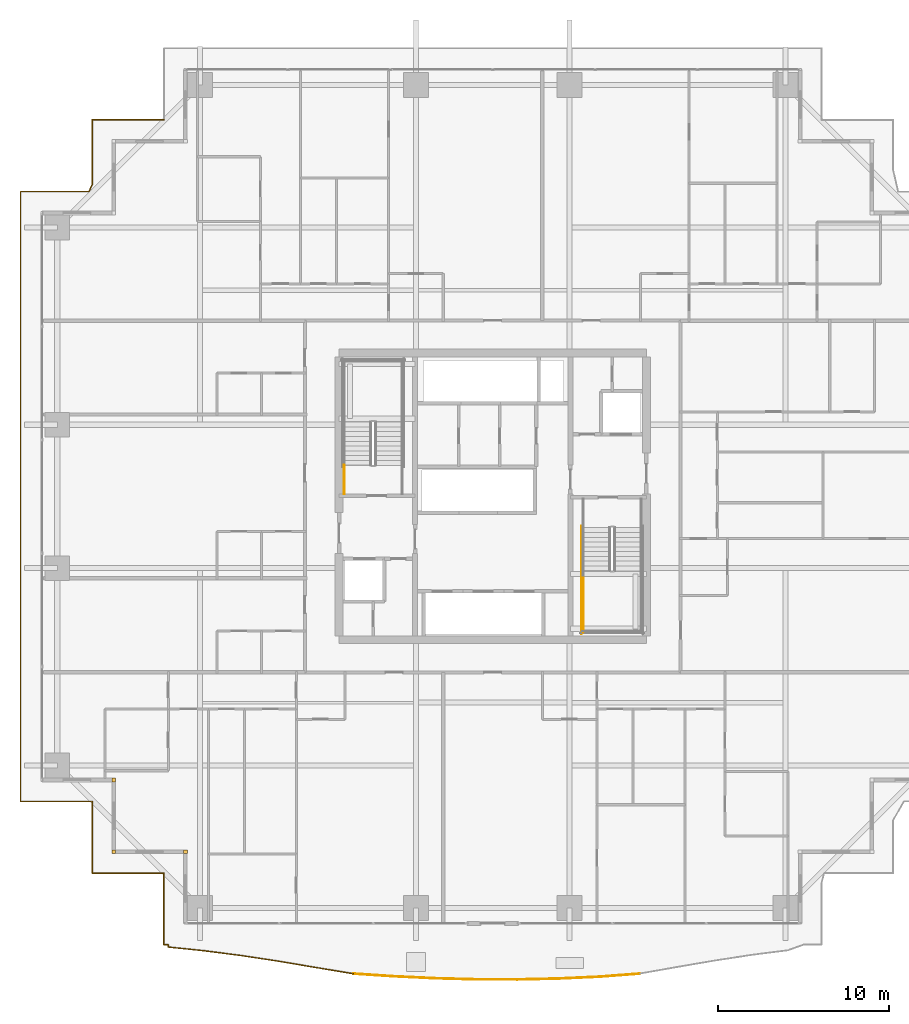
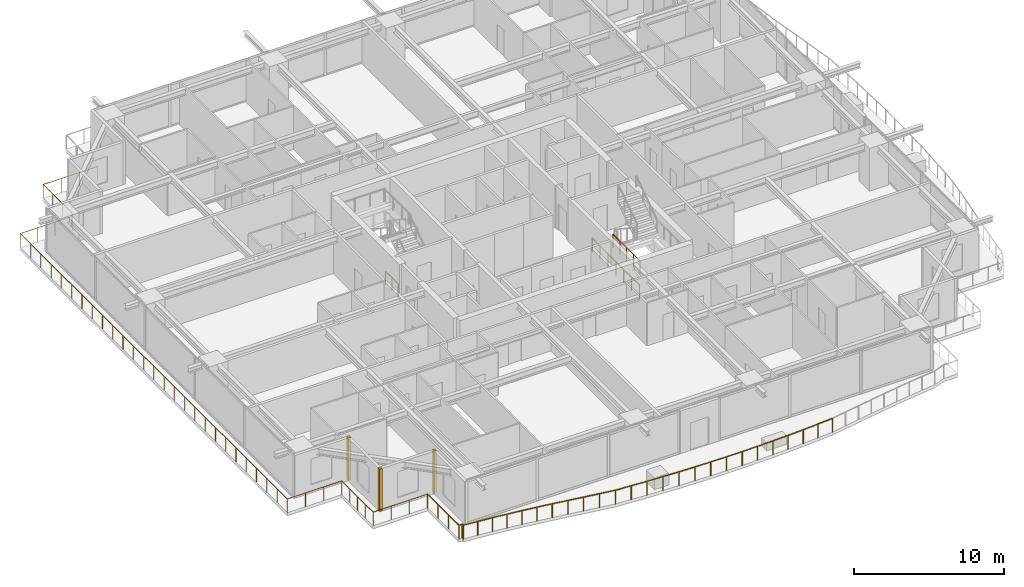
# One storey, part 34 of 39: 6 railings, 3 coverings.
"""IFC4 building model written with IfcOpenShell, lengths in metres."""

from ifc_helpers import new_model, si_unit, direction, frame, origin, origin_2d, place, context, subcontext, project, spatial, rectangle, circle, extrude, source, transform, mapped, material, layer, layer_set, type_object, element, save


model = new_model("IFC4")

# Units and contexts
model_context = context("Model", 3, precision=1e-05, world=origin(), true_north=direction((0.0, 1.0)))
body_context = subcontext(model_context, "Body", "Model", "MODEL_VIEW")
ifc_project = project(units=[si_unit("LENGTHUNIT", "METRE"), si_unit("AREAUNIT", "SQUARE_METRE"), si_unit("VOLUMEUNIT", "CUBIC_METRE"), si_unit("PLANEANGLEUNIT", "RADIAN"), si_unit("MASSUNIT", "GRAM", prefix="KILO")], contexts=[model_context])

# Site, building, storey
site_placement = place(None, origin())
site = spatial("IfcSite", under=ifc_project, at=site_placement, CompositionType="ELEMENT")
building_placement = place(site_placement, origin())
building = spatial("IfcBuilding", under=site, at=building_placement, Name="Serunith Strait Residences", CompositionType="ELEMENT")
storey_placement = place(building_placement, frame((0.0, 0.0, 79.199951171875)))
storey = spatial("IfcBuildingStorey", under=building, at=storey_placement, Name="L19", CompositionType="ELEMENT", Elevation=79.199951171875)

# Railings
ifc_material_1 = material(Name="Stainless Steel & Laminated Glass Balustrade", Category="steel")
railing_type_1 = type_object("IfcRailingType", Name="RLG-BALC-1150", PredefinedType="BALUSTRADE", material=ifc_material_1)
railing_1_placement = place(storey_placement, frame((13.139892578125, 3.139892578125, -0.050048828125)))
element("IfcRailing", 1, at=railing_1_placement, inside=storey, type_object=railing_type_1, Name="L19 Swirling Balcony Perimeter Balustrade 1", PredefinedType="BALUSTRADE", context=body_context, shape_type="SweptSolid", body=[
    extrude(circle(Radius=0.02392578125, at=origin_2d()), frame((-0.001953125, 0.0, 1.1259765625), z_axis=(-1.0, 0.0, 0.0), x_axis=(0.0, -1.0, 0.0)), (0.0, 0.0, 1.0), 4.196044921875),
    extrude(circle(Radius=0.02392578125, at=origin_2d()), frame((-4.199951171875, 0.001953125, 1.1259765625), z_axis=(0.0, 1.0, 0.0), x_axis=(-1.0, 0.0, 0.0)), (0.0, 0.0, 1.0), 4.1962890625),
    extrude(circle(Radius=0.02392578125, at=origin_2d()), frame((-4.201904296875, 4.2001953125, 1.1259765625), z_axis=(-1.0, 0.0, 0.0), x_axis=(0.0, -1.0, 0.0)), (0.0, 0.0, 1.0), 4.196044921875),
    extrude(circle(Radius=0.02392578125, at=origin_2d()), frame((-8.39990234375, 4.2021484375, 1.1259765625), z_axis=(0.0, 1.0, 0.0), x_axis=(-1.0, 0.0, 0.0)), (0.0, 0.0, 1.0), 35.716064453125),
    extrude(circle(Radius=0.02392578125, at=origin_2d()), frame((-8.39794921875, 39.920166015625, 1.1259765625), z_axis=(1.0, 0.0, 0.0), x_axis=(0.0, 1.0, 0.0)), (0.0, 0.0, 1.0), 4.014892578125),
    extrude(circle(Radius=0.02392578125, at=origin_2d()), frame((-4.38037109375, 39.921875, 1.1259765625), z_axis=(0.414518347731, 0.91004095479, 0.0), x_axis=(-0.91004095479, 0.414518347731, 0.0)), (0.0, 0.0, 1.0), 0.43310546875),
    extrude(circle(Radius=0.02392578125, at=origin_2d()), frame((-4.199951171875, 40.31982421875, 1.1259765625), z_axis=(0.0, 1.0, 0.0), x_axis=(-1.0, 0.0, 0.0)), (0.0, 0.0, 1.0), 3.79833984375),
    extrude(circle(Radius=0.02392578125, at=origin_2d()), frame((-4.197998046875, 44.1201171875, 1.1259765625), z_axis=(1.0, 0.0, 0.0), x_axis=(0.0, 1.0, 0.0)), (0.0, 0.0, 1.0), 4.196044921875),
    extrude(circle(Radius=0.02099609375, at=origin_2d()), origin(), (0.0, 0.0, 1.0), 1.099853515625),
    extrude(circle(Radius=0.02099609375, at=origin_2d()), frame((-1.39990234375, 0.0, 0.0)), (0.0, 0.0, 1.0), 1.099853515625),
    extrude(circle(Radius=0.02099609375, at=origin_2d()), frame((-2.800048828125, 0.0, 0.0)), (0.0, 0.0, 1.0), 1.099853515625),
    extrude(circle(Radius=0.02099609375, at=origin_2d()), frame((-4.199951171875, 0.0, 0.0)), (0.0, 0.0, 1.0), 1.099853515625),
    extrude(circle(Radius=0.02099609375, at=origin_2d()), frame((-4.199951171875, 1.050048828125, 0.0)), (0.0, 0.0, 1.0), 1.099853515625),
    extrude(circle(Radius=0.02099609375, at=origin_2d()), frame((-4.199951171875, 2.10009765625, 0.0)), (0.0, 0.0, 1.0), 1.099853515625),
    extrude(circle(Radius=0.02099609375, at=origin_2d()), frame((-4.199951171875, 3.150146484375, 0.0)), (0.0, 0.0, 1.0), 1.099853515625),
    extrude(circle(Radius=0.02099609375, at=origin_2d()), frame((-4.199951171875, 4.2001953125, 0.0)), (0.0, 0.0, 1.0), 1.099853515625),
    extrude(circle(Radius=0.02099609375, at=origin_2d()), frame((-5.599853515625, 4.2001953125, 0.0)), (0.0, 0.0, 1.0), 1.099853515625),
    extrude(circle(Radius=0.02099609375, at=origin_2d()), frame((-7.0, 4.2001953125, 0.0)), (0.0, 0.0, 1.0), 1.099853515625),
    extrude(circle(Radius=0.02099609375, at=origin_2d()), frame((-8.39990234375, 4.2001953125, 0.0)), (0.0, 0.0, 1.0), 1.099853515625),
    extrude(circle(Radius=0.02099609375, at=origin_2d()), frame((-8.39990234375, 5.573974609375, 0.0)), (0.0, 0.0, 1.0), 1.099853515625),
    extrude(circle(Radius=0.02099609375, at=origin_2d()), frame((-8.39990234375, 6.947998046875, 0.0)), (0.0, 0.0, 1.0), 1.099853515625),
    extrude(circle(Radius=0.02099609375, at=origin_2d()), frame((-8.39990234375, 8.32177734375, 0.0)), (0.0, 0.0, 1.0), 1.099853515625),
    extrude(circle(Radius=0.02099609375, at=origin_2d()), frame((-8.39990234375, 9.695556640625, 0.0)), (0.0, 0.0, 1.0), 1.099853515625),
    extrude(circle(Radius=0.02099609375, at=origin_2d()), frame((-8.39990234375, 11.0693359375, 0.0)), (0.0, 0.0, 1.0), 1.099853515625),
    extrude(circle(Radius=0.02099609375, at=origin_2d()), frame((-8.39990234375, 12.443359375, 0.0)), (0.0, 0.0, 1.0), 1.099853515625),
    extrude(circle(Radius=0.02099609375, at=origin_2d()), frame((-8.39990234375, 13.817138671875, 0.0)), (0.0, 0.0, 1.0), 1.099853515625),
    extrude(circle(Radius=0.02099609375, at=origin_2d()), frame((-8.39990234375, 15.19091796875, 0.0)), (0.0, 0.0, 1.0), 1.099853515625),
    extrude(circle(Radius=0.02099609375, at=origin_2d()), frame((-8.39990234375, 16.564697265625, 0.0)), (0.0, 0.0, 1.0), 1.099853515625),
    extrude(circle(Radius=0.02099609375, at=origin_2d()), frame((-8.39990234375, 17.938720703125, 0.0)), (0.0, 0.0, 1.0), 1.099853515625),
    extrude(circle(Radius=0.02099609375, at=origin_2d()), frame((-8.39990234375, 19.3125, 0.0)), (0.0, 0.0, 1.0), 1.099853515625),
    extrude(circle(Radius=0.02099609375, at=origin_2d()), frame((-8.39990234375, 20.686279296875, 0.0)), (0.0, 0.0, 1.0), 1.099853515625),
    extrude(circle(Radius=0.02099609375, at=origin_2d()), frame((-8.39990234375, 22.06005859375, 0.0)), (0.0, 0.0, 1.0), 1.099853515625),
    extrude(circle(Radius=0.02099609375, at=origin_2d()), frame((-8.39990234375, 23.43408203125, 0.0)), (0.0, 0.0, 1.0), 1.099853515625),
    extrude(circle(Radius=0.02099609375, at=origin_2d()), frame((-8.39990234375, 24.807861328125, 0.0)), (0.0, 0.0, 1.0), 1.099853515625),
    extrude(circle(Radius=0.02099609375, at=origin_2d()), frame((-8.39990234375, 26.181640625, 0.0)), (0.0, 0.0, 1.0), 1.099853515625),
    extrude(circle(Radius=0.02099609375, at=origin_2d()), frame((-8.39990234375, 27.5556640625, 0.0)), (0.0, 0.0, 1.0), 1.099853515625),
    extrude(circle(Radius=0.02099609375, at=origin_2d()), frame((-8.39990234375, 28.929443359375, 0.0)), (0.0, 0.0, 1.0), 1.099853515625),
    extrude(circle(Radius=0.02099609375, at=origin_2d()), frame((-8.39990234375, 30.30322265625, 0.0)), (0.0, 0.0, 1.0), 1.099853515625),
    extrude(circle(Radius=0.02099609375, at=origin_2d()), frame((-8.39990234375, 31.677001953125, 0.0)), (0.0, 0.0, 1.0), 1.099853515625),
    extrude(circle(Radius=0.02099609375, at=origin_2d()), frame((-8.39990234375, 33.051025390625, 0.0)), (0.0, 0.0, 1.0), 1.099853515625),
    extrude(circle(Radius=0.02099609375, at=origin_2d()), frame((-8.39990234375, 34.4248046875, 0.0)), (0.0, 0.0, 1.0), 1.099853515625),
    extrude(circle(Radius=0.02099609375, at=origin_2d()), frame((-8.39990234375, 35.798583984375, 0.0)), (0.0, 0.0, 1.0), 1.099853515625),
    extrude(circle(Radius=0.02099609375, at=origin_2d()), frame((-8.39990234375, 37.17236328125, 0.0)), (0.0, 0.0, 1.0), 1.099853515625),
    extrude(circle(Radius=0.02099609375, at=origin_2d()), frame((-8.39990234375, 38.54638671875, 0.0)), (0.0, 0.0, 1.0), 1.099853515625),
    extrude(circle(Radius=0.02099609375, at=origin_2d()), frame((-8.39990234375, 39.920166015625, 0.0)), (0.0, 0.0, 1.0), 1.099853515625),
    extrude(circle(Radius=0.02099609375, at=origin_2d()), frame((-7.060302734375, 39.920166015625, 0.0)), (0.0, 0.0, 1.0), 1.099853515625),
    extrude(circle(Radius=0.02099609375, at=origin_2d()), frame((-5.720703125, 39.920166015625, 0.0)), (0.0, 0.0, 1.0), 1.099853515625),
    extrude(circle(Radius=0.02099609375, at=origin_2d()), frame((-4.381103515625, 39.920166015625, 0.0)), (0.0, 0.0, 1.0), 1.099853515625),
    extrude(circle(Radius=0.02099609375, at=origin_2d()), frame((-4.199951171875, 40.31787109375, 0.0)), (0.0, 0.0, 1.0), 1.099853515625),
    extrude(circle(Radius=0.02099609375, at=origin_2d()), frame((-4.199951171875, 41.585205078125, 0.0)), (0.0, 0.0, 1.0), 1.099853515625),
    extrude(circle(Radius=0.02099609375, at=origin_2d()), frame((-4.199951171875, 42.852783203125, 0.0)), (0.0, 0.0, 1.0), 1.099853515625),
    extrude(circle(Radius=0.02099609375, at=origin_2d()), frame((-4.199951171875, 44.1201171875, 0.0)), (0.0, 0.0, 1.0), 1.099853515625),
    extrude(circle(Radius=0.02099609375, at=origin_2d()), frame((-2.800048828125, 44.1201171875, 0.0)), (0.0, 0.0, 1.0), 1.099853515625),
    extrude(circle(Radius=0.02099609375, at=origin_2d()), frame((-1.39990234375, 44.1201171875, 0.0)), (0.0, 0.0, 1.0), 1.099853515625),
    extrude(circle(Radius=0.02099609375, at=origin_2d()), frame((0.0, 44.1201171875, 0.0)), (0.0, 0.0, 1.0), 1.099853515625),
])
railing_2_placement = place(storey_placement, frame((41.00830078125, -2.749267578125, -0.050048828125)))
element("IfcRailing", 2, at=railing_2_placement, inside=storey, type_object=railing_type_1, Name="L19 Swirling Balcony Perimeter Balustrade 7", PredefinedType="BALUSTRADE", context=body_context, shape_type="SweptSolid", body=[
    extrude(circle(Radius=0.02392578125, at=origin_2d()), frame((-0.001953125, -0.000244140625, 1.1259765625), z_axis=(-0.99709992741, -0.076103447742, 0.0), x_axis=(0.076103447742, -0.99709992741, 0.0)), (0.0, 0.0, 1.0), 2.357177734375),
    extrude(circle(Radius=0.02392578125, at=origin_2d()), frame((-2.356201171875, -0.1796875, 1.1259765625), z_axis=(-0.998958647485, -0.045624780719, 0.0), x_axis=(0.045624780719, -0.998958647485, 0.0)), (0.0, 0.0, 1.0), 2.393310546875),
    extrude(circle(Radius=0.02392578125, at=origin_2d()), frame((-4.7509765625, -0.2890625, 1.1259765625), z_axis=(-0.99975302823, -0.022223468345, 0.0), x_axis=(0.022223468345, -0.99975302823, 0.0)), (0.0, 0.0, 1.0), 2.412841796875),
    extrude(circle(Radius=0.02392578125, at=origin_2d()), frame((-7.167236328125, -0.3427734375, 1.1259765625), z_axis=(-0.999996570124, 0.00261911059, 0.0), x_axis=(-0.00261911059, -0.999996570124, 0.0)), (0.0, 0.0, 1.0), 2.419677734375),
    extrude(circle(Radius=0.02392578125, at=origin_2d()), frame((-9.5908203125, -0.33642578125, 1.1259765625), z_axis=(-0.999644203053, 0.026673344411, 0.0), x_axis=(-0.026673344411, -0.999644203053, 0.0)), (0.0, 0.0, 1.0), 2.412353515625),
    extrude(circle(Radius=0.02392578125, at=origin_2d()), frame((-12.00634765625, -0.27197265625, 1.1259765625), z_axis=(-0.998843342437, 0.048083024746, 0.0), x_axis=(-0.048083024746, -0.998843342437, 0.0)), (0.0, 0.0, 1.0), 2.392578125),
    extrude(circle(Radius=0.02392578125, at=origin_2d()), frame((-14.400146484375, -0.156494140625, 1.1259765625), z_axis=(-0.997853525768, 0.065485426712, 0.0), x_axis=(-0.065485426712, -0.997853525768, 0.0)), (0.0, 0.0, 1.0), 2.36328125),
    extrude(circle(Radius=0.02099609375, at=origin_2d()), origin(), (0.0, 0.0, 1.0), 1.099853515625),
    extrude(circle(Radius=0.02099609375, at=origin_2d()), frame((-1.17724609375, -0.08984375, 0.0)), (0.0, 0.0, 1.0), 1.099853515625),
    extrude(circle(Radius=0.02099609375, at=origin_2d()), frame((-2.354248046875, -0.1796875, 0.0)), (0.0, 0.0, 1.0), 1.099853515625),
    extrude(circle(Radius=0.02099609375, at=origin_2d()), frame((-3.5517578125, -0.234375, 0.0)), (0.0, 0.0, 1.0), 1.099853515625),
    extrude(circle(Radius=0.02099609375, at=origin_2d()), frame((-4.7490234375, -0.2890625, 0.0)), (0.0, 0.0, 1.0), 1.099853515625),
    extrude(circle(Radius=0.02099609375, at=origin_2d()), frame((-5.95703125, -0.31591796875, 0.0)), (0.0, 0.0, 1.0), 1.099853515625),
    extrude(circle(Radius=0.02099609375, at=origin_2d()), frame((-7.165283203125, -0.3427734375, 0.0)), (0.0, 0.0, 1.0), 1.099853515625),
    extrude(circle(Radius=0.02099609375, at=origin_2d()), frame((-8.376953125, -0.339599609375, 0.0)), (0.0, 0.0, 1.0), 1.099853515625),
    extrude(circle(Radius=0.02099609375, at=origin_2d()), frame((-9.5888671875, -0.33642578125, 0.0)), (0.0, 0.0, 1.0), 1.099853515625),
    extrude(circle(Radius=0.02099609375, at=origin_2d()), frame((-10.796630859375, -0.30419921875, 0.0)), (0.0, 0.0, 1.0), 1.099853515625),
    extrude(circle(Radius=0.02099609375, at=origin_2d()), frame((-12.00439453125, -0.27197265625, 0.0)), (0.0, 0.0, 1.0), 1.099853515625),
    extrude(circle(Radius=0.02099609375, at=origin_2d()), frame((-13.201171875, -0.21435546875, 0.0)), (0.0, 0.0, 1.0), 1.099853515625),
    extrude(circle(Radius=0.02099609375, at=origin_2d()), frame((-14.398193359375, -0.15673828125, 0.0)), (0.0, 0.0, 1.0), 1.099853515625),
    extrude(circle(Radius=0.02099609375, at=origin_2d()), frame((-15.579345703125, -0.0791015625, 0.0)), (0.0, 0.0, 1.0), 1.099853515625),
    extrude(circle(Radius=0.02099609375, at=origin_2d()), frame((-16.760498046875, -0.001708984375, 0.0)), (0.0, 0.0, 1.0), 1.099853515625),
])
railing_3_placement = place(storey_placement, frame((24.247802734375, -2.7509765625, -0.050048828125)))
element("IfcRailing", 3, at=railing_3_placement, inside=storey, type_object=railing_type_1, Name="L19 Swirling Balcony Perimeter Balustrade 8", PredefinedType="BALUSTRADE", context=body_context, shape_type="SweptSolid", body=[
    extrude(circle(Radius=0.02392578125, at=origin_2d()), frame((-0.001953125, 0.000244140625, 1.1259765625), z_axis=(-0.986704051233, 0.162527275496, 0.0), x_axis=(-0.162527275496, -0.986704051233, 0.0)), (0.0, 0.0, 1.0), 2.28076171875),
    extrude(circle(Radius=0.02392578125, at=origin_2d()), frame((-2.25634765625, 0.37158203125, 1.1259765625), z_axis=(-0.986014233955, 0.166661124558, 0.0), x_axis=(-0.166661124558, -0.986014233955, 0.0)), (0.0, 0.0, 1.0), 2.21826171875),
    extrude(circle(Radius=0.02392578125, at=origin_2d()), frame((-4.447509765625, 0.741943359375, 1.1259765625), z_axis=(-0.98861811185, 0.150446764411, 0.0), x_axis=(-0.150446764411, -0.98861811185, 0.0)), (0.0, 0.0, 1.0), 2.172119140625),
    extrude(circle(Radius=0.02392578125, at=origin_2d()), frame((-6.598876953125, 1.0693359375, 1.1259765625), z_axis=(-0.991841527508, 0.127476995223, 0.0), x_axis=(-0.127476995223, -0.991841527508, 0.0)), (0.0, 0.0, 1.0), 2.142822265625),
    extrude(circle(Radius=0.02392578125, at=origin_2d()), frame((-8.728271484375, 1.343017578125, 1.1259765625), z_axis=(-0.994690177559, 0.102914773809, 0.0), x_axis=(-0.102914773809, -0.994690177559, 0.0)), (0.0, 0.0, 1.0), 2.128662109375),
    extrude(circle(Radius=0.02392578125, at=origin_2d()), frame((-10.84765625, 1.564208984375, 1.1259765625), z_axis=(0.007589914203, 0.999971196186, 0.0), x_axis=(-0.999971196186, 0.007589914203, 0.0)), (0.0, 0.0, 1.0), 0.124755859375),
    extrude(circle(Radius=0.02392578125, at=origin_2d()), frame((-10.8486328125, 1.69091796875, 1.1259765625), z_axis=(-1.0, 0.0, 0.0), x_axis=(0.0, -1.0, 0.0)), (0.0, 0.0, 1.0), 0.25732421875),
    extrude(circle(Radius=0.02392578125, at=origin_2d()), frame((-11.10791015625, 1.69287109375, 1.1259765625), z_axis=(0.0, 1.0, 0.0), x_axis=(-1.0, 0.0, 0.0)), (0.0, 0.0, 1.0), 4.196044921875),
    extrude(circle(Radius=0.02099609375, at=origin_2d()), origin(), (0.0, 0.0, 1.0), 1.099853515625),
    extrude(circle(Radius=0.02099609375, at=origin_2d()), frame((-1.127197265625, 0.185546875, 0.0)), (0.0, 0.0, 1.0), 1.099853515625),
    extrude(circle(Radius=0.02099609375, at=origin_2d()), frame((-2.25439453125, 0.371337890625, 0.0)), (0.0, 0.0, 1.0), 1.099853515625),
    extrude(circle(Radius=0.02099609375, at=origin_2d()), frame((-3.35009765625, 0.556640625, 0.0)), (0.0, 0.0, 1.0), 1.099853515625),
    extrude(circle(Radius=0.02099609375, at=origin_2d()), frame((-4.445556640625, 0.74169921875, 0.0)), (0.0, 0.0, 1.0), 1.099853515625),
    extrude(circle(Radius=0.02099609375, at=origin_2d()), frame((-5.521240234375, 0.9052734375, 0.0)), (0.0, 0.0, 1.0), 1.099853515625),
    extrude(circle(Radius=0.02099609375, at=origin_2d()), frame((-6.596923828125, 1.069091796875, 0.0)), (0.0, 0.0, 1.0), 1.099853515625),
    extrude(circle(Radius=0.02099609375, at=origin_2d()), frame((-7.66162109375, 1.2060546875, 0.0)), (0.0, 0.0, 1.0), 1.099853515625),
    extrude(circle(Radius=0.02099609375, at=origin_2d()), frame((-8.726318359375, 1.3427734375, 0.0)), (0.0, 0.0, 1.0), 1.099853515625),
    extrude(circle(Radius=0.02099609375, at=origin_2d()), frame((-9.787109375, 1.45263671875, 0.0)), (0.0, 0.0, 1.0), 1.099853515625),
    extrude(circle(Radius=0.02099609375, at=origin_2d()), frame((-10.84765625, 1.562255859375, 0.0)), (0.0, 0.0, 1.0), 1.099853515625),
    extrude(circle(Radius=0.02099609375, at=origin_2d()), frame((-10.8466796875, 1.69091796875, 0.0)), (0.0, 0.0, 1.0), 1.099853515625),
    extrude(circle(Radius=0.02099609375, at=origin_2d()), frame((-11.10791015625, 1.69091796875, 0.0)), (0.0, 0.0, 1.0), 1.099853515625),
    extrude(circle(Radius=0.02099609375, at=origin_2d()), frame((-11.10791015625, 3.0908203125, 0.0)), (0.0, 0.0, 1.0), 1.099853515625),
    extrude(circle(Radius=0.02099609375, at=origin_2d()), frame((-11.10791015625, 4.490966796875, 0.0)), (0.0, 0.0, 1.0), 1.099853515625),
    extrude(circle(Radius=0.02099609375, at=origin_2d()), frame((-11.10791015625, 5.890869140625, 0.0)), (0.0, 0.0, 1.0), 1.099853515625),
])
ifc_material_2 = material(Name="Brushed stainless steel 316L", Category="steel")
railing_type_2 = type_object("IfcRailingType", Name="RLG-STAIR-GUARD", PredefinedType="BALUSTRADE", material=ifc_material_2)
railing_4_placement = place(storey_placement, frame((23.699951171875, 25.35009765625, 0.0)))
element("IfcRailing", 4, at=railing_4_placement, inside=storey, type_object=railing_type_2, Name="L19 ST-1 stair guard 9", PredefinedType="BALUSTRADE", context=body_context, shape_type="SweptSolid", body=[
    extrude(circle(Radius=0.02392578125, at=origin_2d()), frame((0.0, 0.001953125, 1.076171875), z_axis=(0.0, 1.0, 0.0), x_axis=(-1.0, 0.0, 0.0)), (0.0, 0.0, 1.0), 1.676025390625),
    extrude(circle(Radius=0.02099609375, at=origin_2d()), origin(), (0.0, 0.0, 1.0), 1.050048828125),
    extrude(circle(Radius=0.02099609375, at=origin_2d()), frame((0.0, 0.83984375, 0.0)), (0.0, 0.0, 1.0), 1.050048828125),
    extrude(circle(Radius=0.02099609375, at=origin_2d()), frame((0.0, 1.679931640625, 0.0)), (0.0, 0.0, 1.0), 1.050048828125),
])
railing_5_placement = place(storey_placement, frame((37.699951171875, 20.85009765625, 1.875)))
element("IfcRailing", 5, at=railing_5_placement, inside=storey, type_object=railing_type_2, Name="L19 ST-2 stair guard 3", PredefinedType="BALUSTRADE", context=body_context, shape_type="SweptSolid", body=[
    extrude(circle(Radius=0.02392578125, at=origin_2d()), frame((0.0, -0.001953125, 1.076171875), z_axis=(0.0, -1.0, 0.0), x_axis=(1.0, 0.0, 0.0)), (0.0, 0.0, 1.0), 3.59619140625),
    extrude(circle(Radius=0.02099609375, at=origin_2d()), origin(), (0.0, 0.0, 1.0), 1.050048828125),
    extrude(circle(Radius=0.02099609375, at=origin_2d()), frame((0.0, -0.89990234375, 0.0)), (0.0, 0.0, 1.0), 1.050048828125),
    extrude(circle(Radius=0.02099609375, at=origin_2d()), frame((0.0, -1.800048828125, 0.0)), (0.0, 0.0, 1.0), 1.050048828125),
    extrude(circle(Radius=0.02099609375, at=origin_2d()), frame((0.0, -2.7001953125, 0.0)), (0.0, 0.0, 1.0), 1.050048828125),
    extrude(circle(Radius=0.02099609375, at=origin_2d()), frame((0.0, -3.60009765625, 0.0)), (0.0, 0.0, 1.0), 1.050048828125),
])
railing_6_placement = place(storey_placement, frame((37.60009765625, 23.469970703125, 0.0)))
element("IfcRailing", 6, at=railing_6_placement, inside=storey, type_object=railing_type_2, Name="L19 ST-2 stair guard 10", PredefinedType="BALUSTRADE", context=body_context, shape_type="SweptSolid", body=[
    extrude(circle(Radius=0.02392578125, at=origin_2d()), frame((0.0, -0.001953125, 1.076171875), z_axis=(0.0, -1.0, 0.0), x_axis=(1.0, 0.0, 0.0)), (0.0, 0.0, 1.0), 6.316162109375),
    extrude(circle(Radius=0.02099609375, at=origin_2d()), origin(), (0.0, 0.0, 1.0), 1.050048828125),
    extrude(circle(Radius=0.02099609375, at=origin_2d()), frame((0.0, -1.05322265625, 0.0)), (0.0, 0.0, 1.0), 1.050048828125),
    extrude(circle(Radius=0.02099609375, at=origin_2d()), frame((0.0, -2.106689453125, 0.0)), (0.0, 0.0, 1.0), 1.050048828125),
    extrude(circle(Radius=0.02099609375, at=origin_2d()), frame((0.0, -3.16015625, 0.0)), (0.0, 0.0, 1.0), 1.050048828125),
    extrude(circle(Radius=0.02099609375, at=origin_2d()), frame((0.0, -4.21337890625, 0.0)), (0.0, 0.0, 1.0), 1.050048828125),
    extrude(circle(Radius=0.02099609375, at=origin_2d()), frame((0.0, -5.2666015625, 0.0)), (0.0, 0.0, 1.0), 1.050048828125),
    extrude(circle(Radius=0.02099609375, at=origin_2d()), frame((0.0, -6.320068359375, 0.0)), (0.0, 0.0, 1.0), 1.050048828125),
])

# Coverings
ifc_material_3 = material(Name="Pale-Champagne Anodised Aluminium", Category="aluminium")
ifc_layer = layer(ifc_material_3, 0.219970703125, Name="Pale-Champagne Anodised Aluminium")
ifc_layer_set = layer_set([ifc_layer], Name="Pale-Champagne Anodised Aluminium")
covering_type = type_object("IfcCoveringType", Name="COV-CORN-TRIM", PredefinedType="CLADDING", material=ifc_layer_set)
shared_shape = source(origin(), body_context, "Body", "SweptSolid", [
    extrude(rectangle(XDim=0.221923828125, YDim=0.221923828125, at=origin_2d()), origin(), (0.0, 0.0, 1.0), 3.47509765625),
])
for number, where, z_axis, x_axis, name in (
    (7, (10.199951171875, 8.60009765625, 0.0), (0.0, 0.0, 1.0), (1.0, 0.0, 0.0), "L19 Girih Serrated Corner Trim Post 17"),
    (8, (10.199951171875, 4.39990234375, 0.0), (0.0, 0.0, 1.0), (1.0, 0.0, 0.0), "L19 Girih Serrated Corner Trim Post 18"),
    (9, (14.39990234375, 4.39990234375, 0.0), (0.0, 0.0, 1.0), (1.0, 0.0, 0.0), "L19 Girih Serrated Corner Trim Post 19"),
):
    element("IfcCovering", number, at=place(storey_placement, frame(where, z_axis=z_axis, x_axis=x_axis)), inside=storey, type_object=covering_type, Name=name, PredefinedType="CLADDING", context=body_context, shape_type="MappedRepresentation", body=[
        mapped(shared_shape, transform((0.0, 0.0, 0.0), scale=1.0)),
    ])

save(model, "model.ifc")
